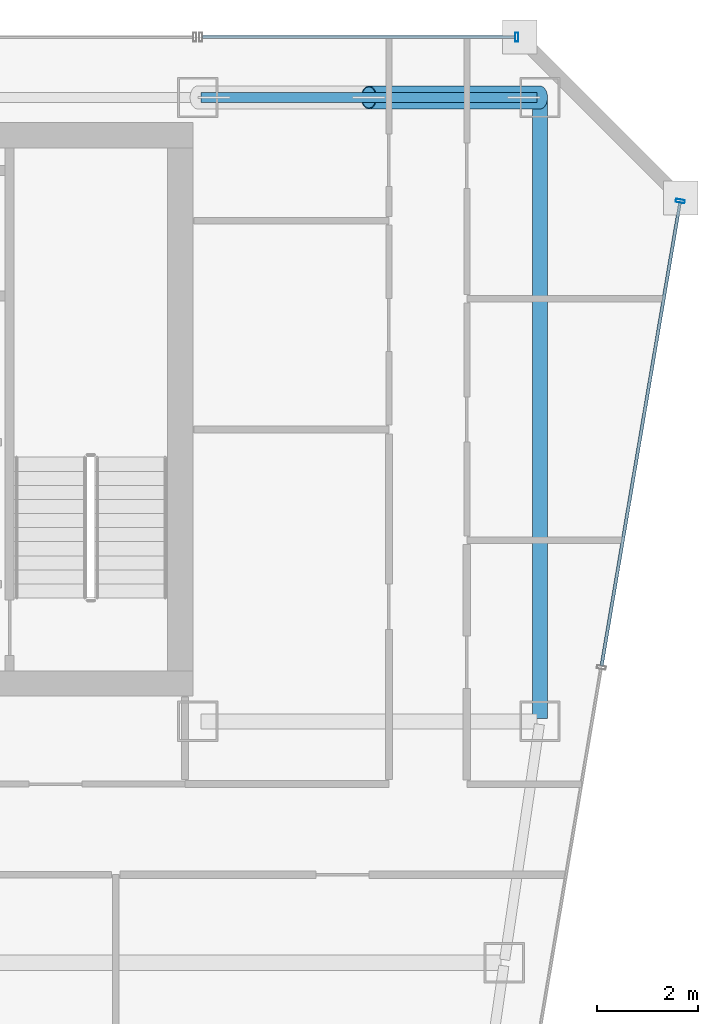
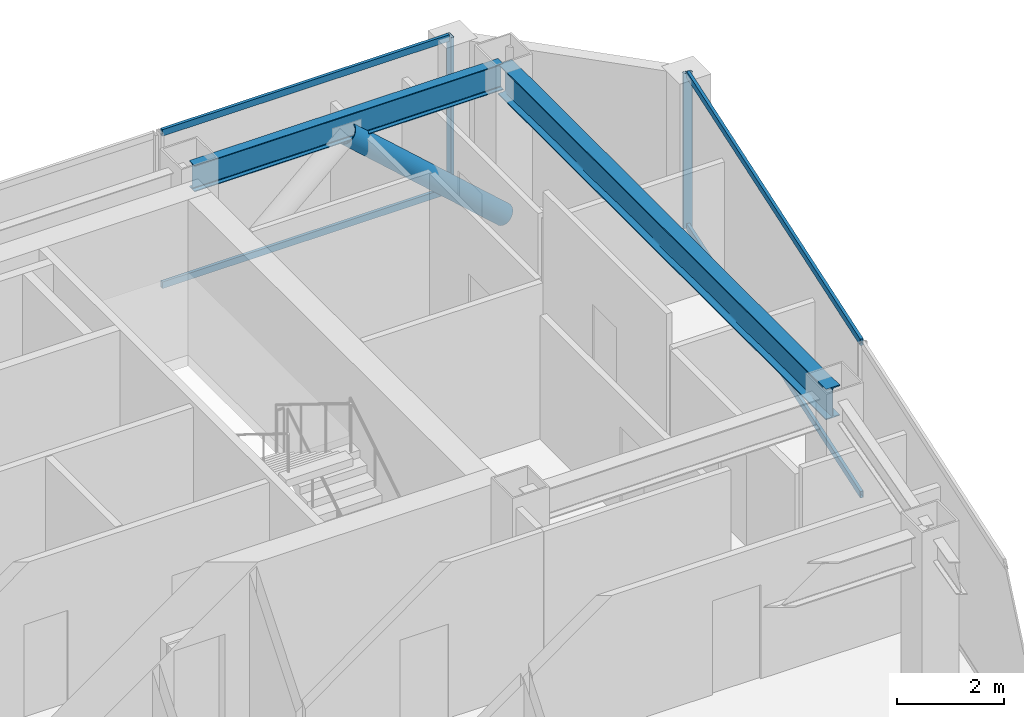
# One storey, part 27 of 35: 7 members, 2 beams, 2 elements without a shape of their own.
"""IFC4 building model written with IfcOpenShell, lengths in metres."""

from ifc_helpers import new_model, si_unit, direction, frame, origin, origin_2d, place, context, subcontext, project, spatial, hollow_rectangle, hollow_circle, i_section, extrude, material, material_profile, profile_set, type_object, element, aggregate, save


model = new_model("IFC4")

# Units and contexts
model_context = context("Model", 3, precision=1e-05, world=origin(), true_north=direction((0.0, 1.0)))
body_context = subcontext(model_context, "Body", "Model", "MODEL_VIEW")
ifc_project = project(units=[si_unit("LENGTHUNIT", "METRE"), si_unit("AREAUNIT", "SQUARE_METRE"), si_unit("VOLUMEUNIT", "CUBIC_METRE"), si_unit("PLANEANGLEUNIT", "RADIAN"), si_unit("MASSUNIT", "GRAM", prefix="KILO")], contexts=[model_context])

# Site, building, storey
site_placement = place(None, origin())
site = spatial("IfcSite", under=ifc_project, at=site_placement, CompositionType="ELEMENT")
building_placement = place(site_placement, origin())
building = spatial("IfcBuilding", under=site, at=building_placement, Name="Saevonmaru Cultural Tower", CompositionType="ELEMENT")
storey_placement = place(building_placement, frame((0.0, 0.0, 194.199951171875)))
storey = spatial("IfcBuildingStorey", under=building, at=storey_placement, Name="L44", CompositionType="ELEMENT", Elevation=194.199951171875)

# Beams
ifc_material_1 = material(Name="Steel SM355", Category="steel")
ifc_material_profile_1 = material_profile(ifc_material_1, i_section(OverallWidth=0.300048828125, OverallDepth=0.699951171875, WebThickness=0.012939453125, FlangeThickness=0.02392578125, FilletRadius=0.02587890625, at=origin_2d()), Name="H-700x300x13x24")
ifc_profile_set_1 = profile_set([ifc_material_profile_1], Name="Steel SM355")
beam_type_1 = type_object("IfcBeamType", Name="BM-G-H700", PredefinedType="BEAM", material=ifc_profile_set_1)
beam_1_placement = place(storey_placement, frame((53.199951171875, 54.739990234375, 3.199951171875), z_axis=(0.0, -1.0, 0.0), x_axis=(1.0, 0.0, 0.0)))
element("IfcBeam", 1, at=beam_1_placement, inside=storey, type_object=beam_type_1, Name="L44 Spine Transverse Girder E", PredefinedType="BEAM", context=body_context, shape_type="SweptSolid", body=[
    extrude(i_section(OverallWidth=0.300048828125, OverallDepth=0.699951171875, WebThickness=0.012939453125, FlangeThickness=0.02392578125, FilletRadius=0.02587890625, at=origin_2d()), origin(), (0.0, 0.0, 1.0), 12.280029296875),
])
ifc_material_profile_2 = material_profile(ifc_material_1, i_section(OverallWidth=0.199951171875, OverallDepth=0.60009765625, WebThickness=0.010986328125, FlangeThickness=0.01708984375, FilletRadius=0.02197265625, at=origin_2d()), Name="H-600x200x11x17")
ifc_profile_set_2 = profile_set([ifc_material_profile_2], Name="Steel SM355")
beam_type_2 = type_object("IfcBeamType", Name="BM-SP-H600", PredefinedType="SPANDREL", material=ifc_profile_set_2)
beam_2_placement = place(storey_placement, frame((46.4599609375, 54.800048828125, 3.25), z_axis=(1.0, 0.0, 0.0), x_axis=(0.0, 1.0, 0.0)))
element("IfcBeam", 2, at=beam_2_placement, inside=storey, type_object=beam_type_2, Name="L44 North Spine Girder 5", PredefinedType="SPANDREL", context=body_context, shape_type="SweptSolid", body=[
    extrude(i_section(OverallWidth=0.199951171875, OverallDepth=0.60009765625, WebThickness=0.010986328125, FlangeThickness=0.01708984375, FilletRadius=0.02197265625, at=origin_2d()), origin(), (0.0, 0.0, 1.0), 6.679931640625),
])

# Member
ifc_material_2 = material(Name="Steel SM420", Category="steel")
ifc_material_profile_3 = material_profile(ifc_material_2, hollow_circle(Radius=0.228515625, WallThickness=0.02001953125, at=origin_2d()), Name="CHS-457.2x20")
ifc_profile_set_3 = profile_set([ifc_material_profile_3], Name="Steel SM420")
member_type_1 = type_object("IfcMemberType", Name="MB-PBR-CHS457", PredefinedType="BRACE", material=ifc_profile_set_3)
member_1_placement = place(storey_placement, frame((53.199951171875, 54.800048828125, 0.02001953125), z_axis=(-0.744366945704, 0.0, 0.667770806597), x_axis=(0.0, -1.0, 0.0)))
element("IfcMember", 3, at=member_1_placement, inside=storey, type_object=member_type_1, Name="L44 Perimeter Braced-Tube Diagonal EN2", PredefinedType="BRACE", context=body_context, shape_type="SweptSolid", body=[
    extrude(hollow_circle(Radius=0.228515625, WallThickness=0.02001953125, at=origin_2d()), origin(), (0.0, 0.0, 1.0), 4.567626953125),
])

# Curtain wall, member
ifc_material_3 = material(Name="Satin Bronze Anodised Aluminium", Category="aluminium")
curtain_wall_type = type_object("IfcCurtainWallType", Name="CW-TYP-B", PredefinedType="NOTDEFINED", material=ifc_material_3)
curtain_wall_1_placement = place(storey_placement, origin())
curtain_wall_1 = element("IfcCurtainWall", 4, at=curtain_wall_1_placement, inside=storey, type_object=curtain_wall_type, Name="L44 Unitised Curtain Wall E8", PredefinedType="NOTDEFINED")
ifc_material_profile_4 = material_profile(ifc_material_3, hollow_rectangle(XDim=0.06494140625, YDim=0.179931640625, WallThickness=0.00390625, at=origin_2d()), Name="ALU-MULL-180x65x4")
ifc_profile_set_4 = profile_set([ifc_material_profile_4], Name="Satin Bronze Anodised Aluminium")
member_type_2 = type_object("IfcMemberType", Name="ML-CW-180x65", PredefinedType="MULLION", material=ifc_profile_set_4)
member_2_placement = place(storey_placement, frame((55.989990234375, 52.74072265625, 0.0), z_axis=(0.0, 0.0, 1.0), x_axis=(0.16692169721, 0.985970155228, 0.0)))
member_2 = element("IfcMember", 5, at=member_2_placement, type_object=member_type_2, Name="CW-TW-L44-E8 mullion 5", PredefinedType="MULLION", context=body_context, shape_type="SweptSolid", body=[
    extrude(hollow_rectangle(XDim=0.06494140625, YDim=0.179931640625, WallThickness=0.00390625, at=origin_2d()), origin(), (0.0, 0.0, 1.0), 3.550048828125),
])

curtain_wall_2_placement = place(storey_placement, origin())
curtain_wall_2 = element("IfcCurtainWall", 6, at=curtain_wall_2_placement, inside=storey, type_object=curtain_wall_type, Name="L44 East Braced Bay Spandrel Curtain Wall E10A", PredefinedType="NOTDEFINED")
member_3_placement = place(storey_placement, frame((52.739990234375, 56.0, 0.0), z_axis=(0.0, 0.0, 1.0), x_axis=(-1.0, 0.0, 0.0)))
member_3 = element("IfcMember", 7, at=member_3_placement, type_object=member_type_2, Name="CW-TW-L44-E10A mullion 1", PredefinedType="MULLION", context=body_context, shape_type="SweptSolid", body=[
    extrude(hollow_rectangle(XDim=0.06494140625, YDim=0.179931640625, WallThickness=0.00390625, at=origin_2d()), origin(), (0.0, 0.0, 1.0), 3.550048828125),
])

# Member
ifc_material_profile_5 = material_profile(ifc_material_3, hollow_rectangle(XDim=0.06494140625, YDim=0.14990234375, WallThickness=0.00390625, at=origin_2d()), Name="ALU-TRAN-150x65x4")
ifc_profile_set_5 = profile_set([ifc_material_profile_5], Name="Satin Bronze Anodised Aluminium")
member_type_3 = type_object("IfcMemberType", Name="TR-CW-150x65", PredefinedType="USERDEFINED", material=ifc_profile_set_5)
member_4_placement = place(storey_placement, frame((54.426025390625, 43.50244140625, 0.032470703125), z_axis=(0.166921263871, 0.985970228591, 0.0), x_axis=(-0.985970228591, 0.166921263871, 0.0)))
member_4 = element("IfcMember", 8, at=member_4_placement, type_object=member_type_3, Name="CW-TW-L44-E8 transom 4.1", ObjectType="TRANSOM", PredefinedType="USERDEFINED", context=body_context, shape_type="SweptSolid", body=[
    extrude(hollow_rectangle(XDim=0.06494140625, YDim=0.14990234375, WallThickness=0.00390625, at=origin_2d()), origin(), (0.0, 0.0, 1.0), 9.33740234375),
])

member_5_placement = place(storey_placement, frame((54.426025390625, 43.50244140625, 3.517578125), z_axis=(0.166921263871, 0.985970228591, 0.0), x_axis=(-0.985970228591, 0.166921263871, 0.0)))
member_5 = element("IfcMember", 9, at=member_5_placement, type_object=member_type_3, Name="CW-TW-L44-E8 transom 4.2", ObjectType="TRANSOM", PredefinedType="USERDEFINED", context=body_context, shape_type="SweptSolid", body=[
    extrude(hollow_rectangle(XDim=0.06494140625, YDim=0.14990234375, WallThickness=0.00390625, at=origin_2d()), origin(), (0.0, 0.0, 1.0), 9.33740234375),
])

aggregate(curtain_wall_1, [member_2, member_4, member_5])

member_6_placement = place(storey_placement, frame((52.70751953125, 56.0, 0.032470703125), z_axis=(-1.0, 0.0, 0.0), x_axis=(0.0, -1.0, 0.0)))
member_6 = element("IfcMember", 10, at=member_6_placement, type_object=member_type_3, Name="CW-TW-L44-E10A transom 1.1", ObjectType="TRANSOM", PredefinedType="USERDEFINED", context=body_context, shape_type="SweptSolid", body=[
    extrude(hollow_rectangle(XDim=0.06494140625, YDim=0.14990234375, WallThickness=0.00390625, at=origin_2d()), origin(), (0.0, 0.0, 1.0), 6.215087890625),
])

member_7_placement = place(storey_placement, frame((52.70751953125, 56.0, 3.517578125), z_axis=(-1.0, 0.0, 0.0), x_axis=(0.0, -1.0, 0.0)))
member_7 = element("IfcMember", 11, at=member_7_placement, type_object=member_type_3, Name="CW-TW-L44-E10A transom 1.2", ObjectType="TRANSOM", PredefinedType="USERDEFINED", context=body_context, shape_type="SweptSolid", body=[
    extrude(hollow_rectangle(XDim=0.06494140625, YDim=0.14990234375, WallThickness=0.00390625, at=origin_2d()), origin(), (0.0, 0.0, 1.0), 6.215087890625),
])

aggregate(curtain_wall_2, [member_3, member_6, member_7])

save(model, "model.ifc")
